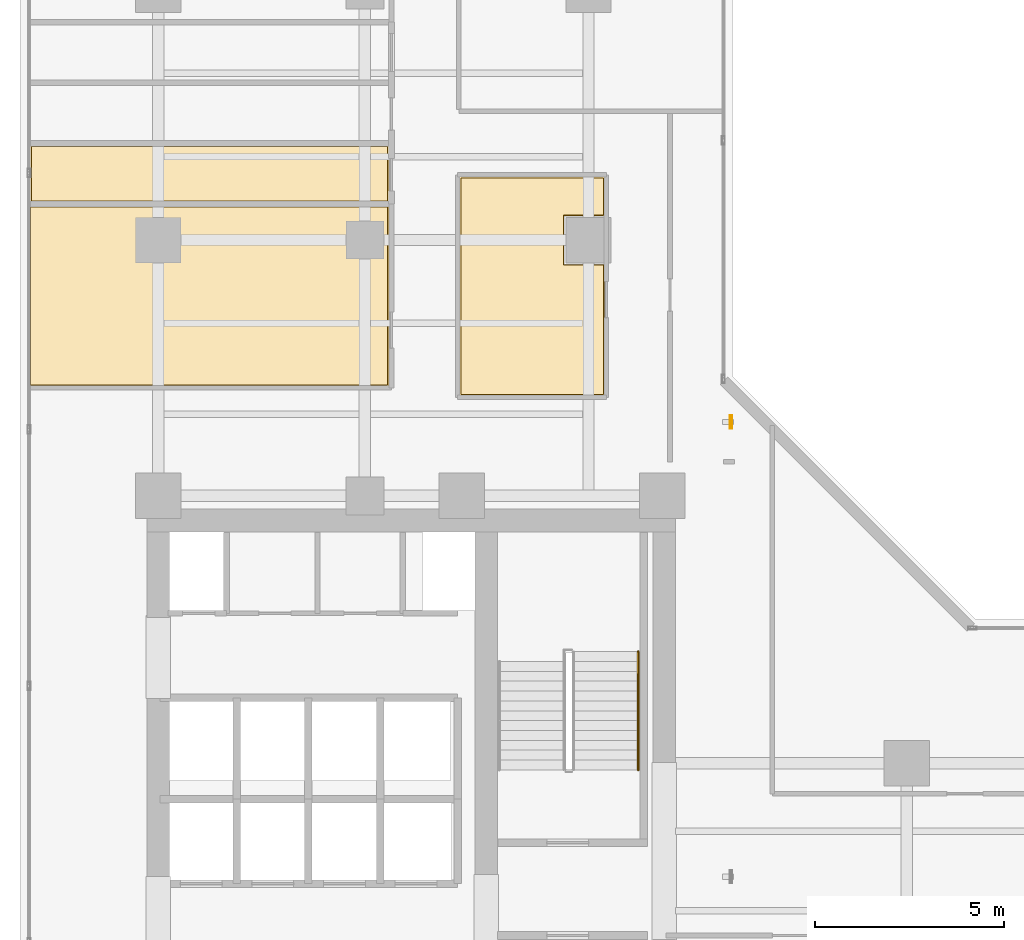
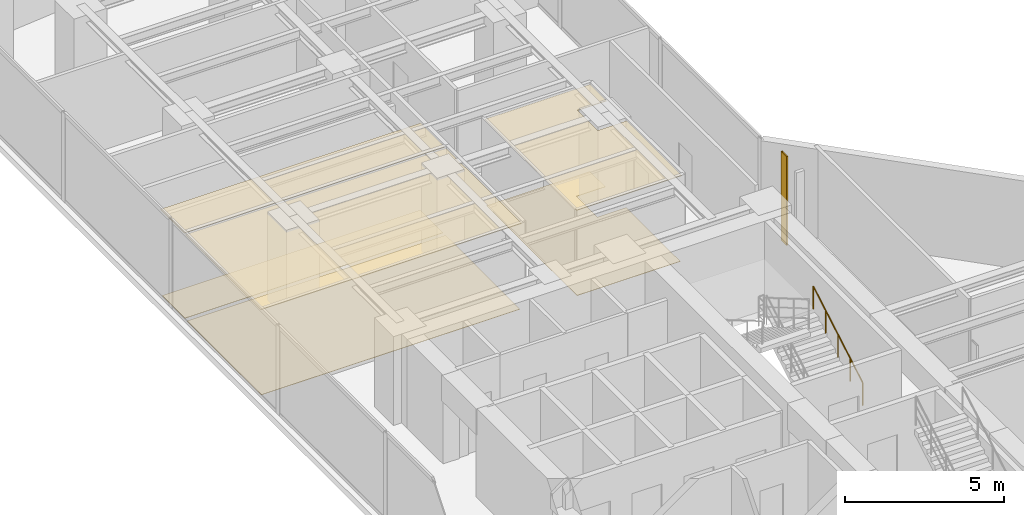
# One storey, part 24 of 26: 6 coverings, 1 railing, 1 shading device.
"""IFC4 building model written with IfcOpenShell, lengths in metres."""

from ifc_helpers import new_model, si_unit, direction, frame, origin, origin_2d, place, context, subcontext, project, spatial, polyline, hollow_rectangle, circle, outline, extrude, material, layer, layer_set, material_profile, profile_set, type_object, element, save


model = new_model("IFC4")

# Units and contexts
model_context = context("Model", 3, precision=1e-05, world=origin(), true_north=direction((0.0, 1.0)))
body_context = subcontext(model_context, "Body", "Model", "MODEL_VIEW")
ifc_project = project(units=[si_unit("LENGTHUNIT", "METRE"), si_unit("AREAUNIT", "SQUARE_METRE"), si_unit("VOLUMEUNIT", "CUBIC_METRE"), si_unit("PLANEANGLEUNIT", "RADIAN"), si_unit("MASSUNIT", "GRAM", prefix="KILO")], contexts=[model_context])

# Site, building, storey
site_placement = place(None, origin())
site = spatial("IfcSite", under=ifc_project, at=site_placement, CompositionType="ELEMENT")
building_placement = place(site_placement, origin())
building = spatial("IfcBuilding", under=site, at=building_placement, Name="Kolvaren Waterfront Exchange", CompositionType="ELEMENT")
storey_placement = place(building_placement, frame((0.0, 0.0, 195.60009765625)))
storey = spatial("IfcBuildingStorey", under=building, at=storey_placement, Name="L50", CompositionType="ELEMENT", Elevation=195.60009765625)

# Coverings
ifc_material_1 = material(Name="Mineral fibre acoustic ceiling tile")
ifc_layer_1 = layer(ifc_material_1, 0.02490234375, Name="Mineral fibre acoustic ceiling tile")
ifc_layer_set_1 = layer_set([ifc_layer_1], Name="Mineral fibre acoustic ceiling tile")
covering_type_1 = type_object("IfcCoveringType", Name="ARC-CEIL-ACOUSTIC-25", PredefinedType="CEILING", material=ifc_layer_set_1)
covering_1_placement = place(storey_placement, frame((0.0, 0.0, 3.304931640625)))
element("IfcCovering", 1, at=covering_1_placement, inside=storey, type_object=covering_type_1, Name="L50 acoustic suspended ceiling 1", PredefinedType="CEILING", context=body_context, shape_type="SweptSolid", body=[
    extrude(outline(polyline([(19.22509765625, 30.56005859375), (18.159912109375, 30.56005859375), (18.159912109375, 31.840087890625), (19.22509765625, 31.840087890625), (19.22509765625, 32.875), (15.39501953125, 32.875), (15.39501953125, 27.094970703125), (19.22509765625, 27.094970703125), (19.22509765625, 30.56005859375)])), origin(), (0.0, 0.0, 1.0), 0.02490234375),
])
covering_2_placement = place(storey_placement, frame((0.0, 0.0, 3.304931640625)))
element("IfcCovering", 2, at=covering_2_placement, inside=storey, type_object=covering_type_1, Name="L50 acoustic suspended ceiling 2", PredefinedType="CEILING", context=body_context, shape_type="SweptSolid", body=[
    extrude(outline(polyline([(13.534912109375, 27.344970703125), (13.534912109375, 32.10498046875), (4.044921875, 32.10498046875), (4.044921875, 27.344970703125), (13.534912109375, 27.344970703125)])), origin(), (0.0, 0.0, 1.0), 0.02490234375),
])
covering_3_placement = place(storey_placement, frame((0.0, 0.0, 3.304931640625)))
element("IfcCovering", 3, at=covering_3_placement, inside=storey, type_object=covering_type_1, Name="L50 acoustic suspended ceiling 3", PredefinedType="CEILING", context=body_context, shape_type="SweptSolid", body=[
    extrude(outline(polyline([(13.534912109375, 32.195068359375), (13.534912109375, 33.705078125), (4.06494140625, 33.705078125), (4.06494140625, 32.195068359375), (13.534912109375, 32.195068359375)])), origin(), (0.0, 0.0, 1.0), 0.02490234375),
])

# Shading device
ifc_material_2 = material(Name="Anodised bronze aluminium 6063-T6", Category="aluminium")
ifc_material_profile = material_profile(ifc_material_2, hollow_rectangle(XDim=0.06005859375, YDim=0.35009765625, WallThickness=0.0048828125, at=origin_2d()), Name="BRZ-FIN-350x60x5")
ifc_profile_set = profile_set([ifc_material_profile], Name="Anodised bronze aluminium 6063-T6")
shading_device_type = type_object("IfcShadingDeviceType", Name="ARC-FIN-350", PredefinedType="USERDEFINED", material=ifc_profile_set)
shading_device_placement = place(storey_placement, frame((22.56005859375, 26.39990234375, 0.0), z_axis=(0.0, 0.0, 1.0), x_axis=(1.0, 0.0, 0.0)))
element("IfcShadingDevice", 4, at=shading_device_placement, inside=storey, type_object=shading_device_type, Name="L50 anodised bronze solar shading fin FIN-L50-E2", ObjectType="SOLAR FIN", PredefinedType="USERDEFINED", context=body_context, shape_type="SweptSolid", body=[
    extrude(hollow_rectangle(XDim=0.06005859375, YDim=0.35009765625, WallThickness=0.0048828125, at=origin_2d()), origin(), (0.0, 0.0, 1.0), 3.419921875),
])

# Coverings
ifc_material_3 = material(Name="Slip-resistant porcelain tile")
ifc_layer_2 = layer(ifc_material_3, 0.014892578125, Name="Slip-resistant porcelain tile")
ifc_layer_set_2 = layer_set([ifc_layer_2], Name="Slip-resistant porcelain tile")
covering_type_2 = type_object("IfcCoveringType", Name="ARC-FLR-PORC-15", PredefinedType="FLOORING", material=ifc_layer_set_2)
covering_4_placement = place(storey_placement, origin())
element("IfcCovering", 5, at=covering_4_placement, inside=storey, type_object=covering_type_2, Name="L50 floor finish 1", PredefinedType="FLOORING", context=body_context, shape_type="SweptSolid", body=[
    extrude(outline(polyline([(15.429931640625, 32.840087890625), (15.429931640625, 27.1298828125), (19.18994140625, 27.1298828125), (19.18994140625, 30.5400390625), (18.139892578125, 30.5400390625), (18.139892578125, 31.860107421875), (19.18994140625, 31.860107421875), (19.18994140625, 32.840087890625), (15.429931640625, 32.840087890625)])), origin(), (0.0, 0.0, 1.0), 0.014892578125),
])
covering_5_placement = place(storey_placement, origin())
element("IfcCovering", 6, at=covering_5_placement, inside=storey, type_object=covering_type_2, Name="L50 floor finish 2", PredefinedType="FLOORING", context=body_context, shape_type="SweptSolid", body=[
    extrude(outline(polyline([(4.080078125, 32.070068359375), (4.080078125, 27.3798828125), (13.5, 27.3798828125), (13.5, 32.070068359375), (4.080078125, 32.070068359375)])), origin(), (0.0, 0.0, 1.0), 0.014892578125),
])
covering_6_placement = place(storey_placement, origin())
element("IfcCovering", 7, at=covering_6_placement, inside=storey, type_object=covering_type_2, Name="L50 floor finish 3", PredefinedType="FLOORING", context=body_context, shape_type="SweptSolid", body=[
    extrude(outline(polyline([(4.10009765625, 33.669921875), (4.10009765625, 32.22998046875), (13.5, 32.22998046875), (13.5, 33.669921875), (4.10009765625, 33.669921875)])), origin(), (0.0, 0.0, 1.0), 0.014892578125),
])

# Railing
ifc_material_4 = material(Name="Stainless steel 316", Category="steel")
railing_type = type_object("IfcRailingType", Name="ARC-HANDRAIL-900", PredefinedType="HANDRAIL", material=ifc_material_4)
railing_placement = place(storey_placement, frame((20.110107421875, 17.219970703125, 0.15185546875)))
element("IfcRailing", 8, at=railing_placement, inside=storey, type_object=railing_type, Name="L50 ST2 stair handrail 1", PredefinedType="HANDRAIL", context=body_context, shape_type="SweptSolid", body=[
    extrude(circle(Radius=0.02392578125, at=origin_2d()), frame((0.0, 0.0, 0.8759765625), z_axis=(0.0, 0.86330811405, 0.504677223793), x_axis=(-1.0, 0.0, 0.0)), (0.0, 0.0, 1.0), 3.6142578125),
    extrude(circle(Radius=0.02099609375, at=origin_2d()), origin(), (0.0, 0.0, 1.0), 0.851806640625),
    extrude(circle(Radius=0.02099609375, at=origin_2d()), frame((0.0, 0.780029296875, 0.4560546875)), (0.0, 0.0, 1.0), 0.851806640625),
    extrude(circle(Radius=0.02099609375, at=origin_2d()), frame((0.0, 1.56005859375, 0.912109375)), (0.0, 0.0, 1.0), 0.851806640625),
    extrude(circle(Radius=0.02099609375, at=origin_2d()), frame((0.0, 2.340087890625, 1.367919921875)), (0.0, 0.0, 1.0), 0.851806640625),
    extrude(circle(Radius=0.02099609375, at=origin_2d()), frame((0.0, 3.1201171875, 1.823974609375)), (0.0, 0.0, 1.0), 0.851806640625),
])

save(model, "model.ifc")
